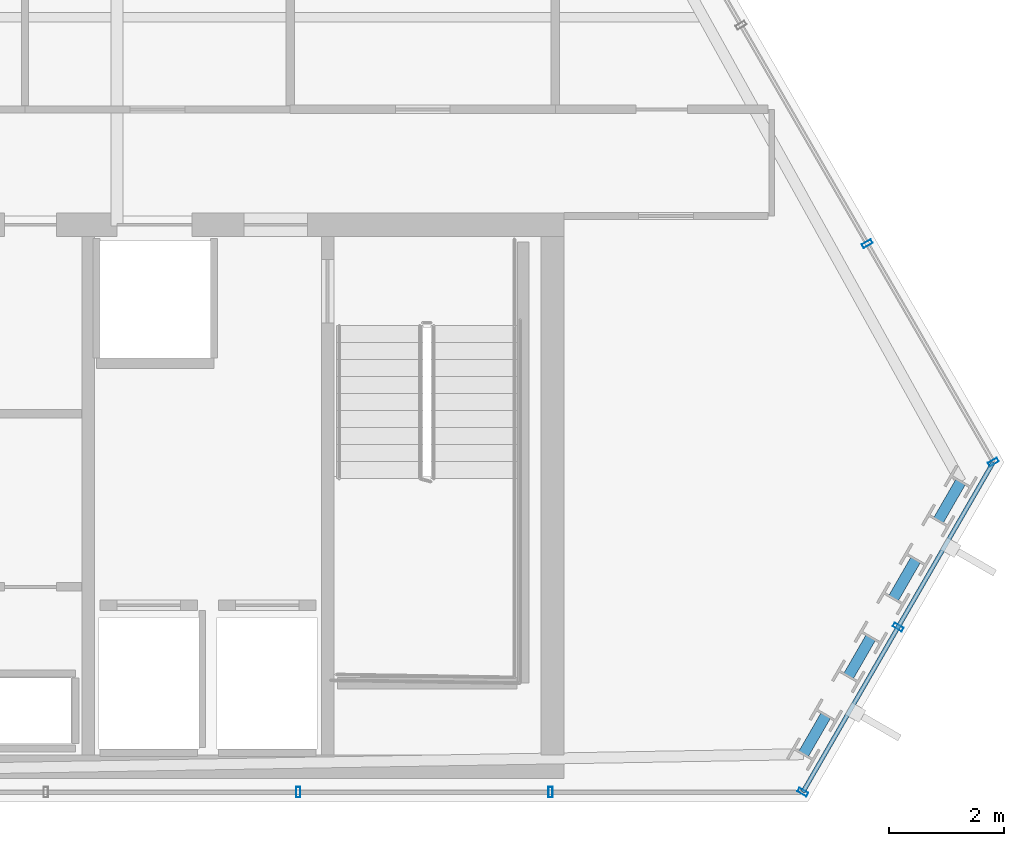
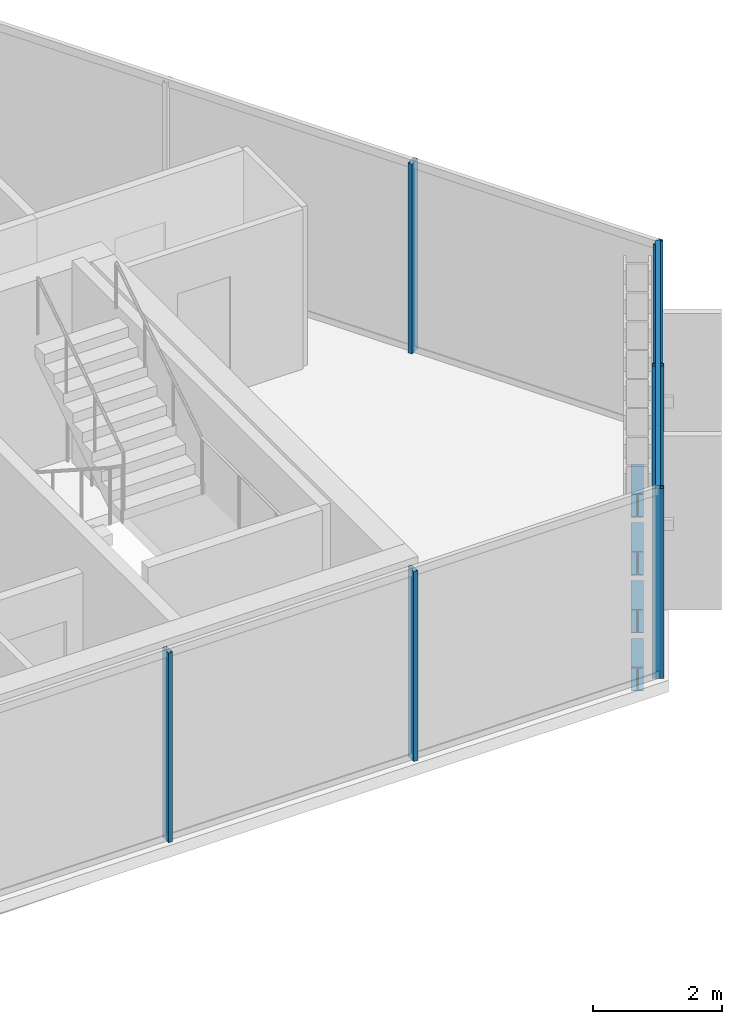
# One storey, part 14 of 29: 8 members, 4 beams, 3 elements without a shape of their own.
"""IFC4 building model written with IfcOpenShell, lengths in metres."""

import ifcopenshell
import ifcopenshell.guid

model = None  # the IFC model being written
_history = None  # IfcOwnerHistory: only IFC2X3 demands one
_inside = {}  # id of a spatial element -> (the spatial element, [elements in it])
_under = {}  # id of a project, library or spatial element -> (it, [spatial elements below it])
_declared = {}  # id of a project -> (the project, [libraries it declares])
_typed = {}  # id of a type object -> (the type object, [elements of that type])
_made_of = {}  # id of a material, layer set ... -> (it, [elements and type objects made of it])


def new_model(schema):
    """Start an empty IFC model of exactly this schema.

    Asked for "IFC4X3", IfcOpenShell would pick the latest addendum, in which some entities
    have other attributes; the version numbers below select the first issue.
    IFC2X3 requires an IfcOwnerHistory on every rooted entity: one is made here for all.
    """
    global model, _history
    if schema == "IFC4X3":
        model = ifcopenshell.file(schema_version=(4, 3, 0, 0))
    else:
        model = ifcopenshell.file(schema=schema)
    _inside.clear()
    _under.clear()
    _declared.clear()
    _typed.clear()
    _made_of.clear()
    _history = None
    if model.schema == "IFC2X3":
        org = make("IfcOrganization", Name="unknown")
        user = make(
            "IfcPersonAndOrganization",
            ThePerson=make("IfcPerson", FamilyName="unknown"),
            TheOrganization=org,
        )
        app = make(
            "IfcApplication",
            ApplicationDeveloper=org,
            Version="unknown",
            ApplicationFullName="unknown",
            ApplicationIdentifier="unknown",
        )
        _history = make(
            "IfcOwnerHistory",
            OwningUser=user,
            OwningApplication=app,
            ChangeAction="ADDED",
            CreationDate=0,
        )
    return model


def make(cls, **values):
    """One entity of the class cls with the attributes given. An attribute that is None is left unset."""
    return model.create_entity(
        cls, **{name: value for name, value in values.items() if value is not None}
    )


def rooted(cls, **values):
    """An entity with a GlobalId (a new one), such as an element, a storey or a relation."""
    return make(cls, GlobalId=ifcopenshell.guid.new(), OwnerHistory=_history, **values)


def si_unit(unit_type, name, prefix=None):
    """IfcSIUnit, for example si_unit("LENGTHUNIT", "METRE", prefix="MILLI")."""
    return make("IfcSIUnit", UnitType=unit_type, Prefix=prefix, Name=name)


def assignment(units):
    """IfcUnitAssignment: the units of a project."""
    return None if units is None else make("IfcUnitAssignment", Units=units)


def point(xyz):
    """IfcCartesianPoint."""
    return None if xyz is None else make("IfcCartesianPoint", Coordinates=xyz)


def direction(xyz):
    """IfcDirection."""
    return None if xyz is None else make("IfcDirection", DirectionRatios=xyz)


def frame(location, z_axis=None, x_axis=None):
    """IfcAxis2Placement3D, a coordinate frame: its origin and axes. An axis left out is left unset."""
    return make(
        "IfcAxis2Placement3D",
        Location=point(location),
        Axis=direction(z_axis),
        RefDirection=direction(x_axis),
    )


def frame_2d(location, x_axis=None):
    """IfcAxis2Placement2D, a coordinate frame in the plane: its origin and x axis."""
    return make(
        "IfcAxis2Placement2D", Location=point(location), RefDirection=direction(x_axis)
    )


def origin():
    """The frame at (0, 0, 0) with its axes left unset."""
    return frame((0.0, 0.0, 0.0))


def origin_2d():
    """The frame at (0, 0) in the plane with its x axis left unset."""
    return frame_2d((0.0, 0.0))


def place(relative_to, where):
    """IfcLocalPlacement: puts the frame where relative to a parent placement (None: the world)."""
    return make(
        "IfcLocalPlacement", PlacementRelTo=relative_to, RelativePlacement=where
    )


def context(
    kind, dimensions, precision=None, world=None, true_north=None, identifier=None
):
    """IfcGeometricRepresentationContext, for example the 3D "Model" context."""
    return make(
        "IfcGeometricRepresentationContext",
        ContextIdentifier=identifier,
        ContextType=kind,
        CoordinateSpaceDimension=dimensions,
        Precision=precision,
        WorldCoordinateSystem=world,
        TrueNorth=true_north,
    )


def subcontext(parent, identifier, kind, view, scale=None):
    """IfcGeometricRepresentationSubContext, for example "Body" below "Model"."""
    return make(
        "IfcGeometricRepresentationSubContext",
        ContextIdentifier=identifier,
        ContextType=kind,
        ParentContext=parent,
        TargetScale=scale,
        TargetView=view,
    )


def project(units=None, contexts=None):
    """IfcProject with its units and contexts."""
    return rooted(
        "IfcProject",
        Name="project",
        RepresentationContexts=contexts,
        UnitsInContext=assignment(units),
    )


def spatial(cls, under=None, at=None, **own):
    """A site, building, storey or space (cls), placed at a placement, below another one or the project."""
    s = rooted(cls, ObjectPlacement=at, **own)
    if under is not None:
        _under.setdefault(under.id(), (under, []))[1].append(s)
    return s


def profile(cls, at=None, kind="AREA", **sizes):
    """A parametric profile (cls). Its sizes go by their IFC names, for example OverallWidth=200.0."""
    return make(cls, ProfileType=kind, Position=at, **sizes)


def hollow_rectangle(**sizes):
    """IfcRectangleHollowProfileDef."""
    return profile("IfcRectangleHollowProfileDef", **sizes)


def i_section(**sizes):
    """IfcIShapeProfileDef."""
    return profile("IfcIShapeProfileDef", **sizes)


def extrude(swept, where, along, depth):
    """IfcExtrudedAreaSolid: the profile swept, set in the frame where, extruded along a direction by depth."""
    return make(
        "IfcExtrudedAreaSolid",
        SweptArea=swept,
        Position=where,
        ExtrudedDirection=direction(along),
        Depth=depth,
    )


def shape(context_of_items, identifier, shape_type, items):
    """IfcShapeRepresentation: the items that make up one representation, for example the "Body"."""
    return make(
        "IfcShapeRepresentation",
        ContextOfItems=context_of_items,
        RepresentationIdentifier=identifier,
        RepresentationType=shape_type,
        Items=items,
    )


def material(Name=None, Category=None):
    """IfcMaterial."""
    return make("IfcMaterial", Name=Name, Category=Category)


def layer(
    of_material, thickness, ventilated=None, Name=None, Category=None, Priority=None
):
    """IfcMaterialLayer: one layer of a wall or slab, of a material (None: an air gap)."""
    return make(
        "IfcMaterialLayer",
        Material=of_material,
        LayerThickness=thickness,
        IsVentilated=ventilated,
        Name=Name,
        Category=Category,
        Priority=Priority,
    )


def layer_set(layers, Name=None):
    """IfcMaterialLayerSet."""
    return make("IfcMaterialLayerSet", MaterialLayers=layers, LayerSetName=Name)


def material_profile(
    of_material, cross_section, Name=None, Category=None, Priority=None
):
    """IfcMaterialProfile: a cross section and its material."""
    return make(
        "IfcMaterialProfile",
        Name=Name,
        Material=of_material,
        Profile=cross_section,
        Priority=Priority,
        Category=Category,
    )


def profile_set(profiles, Name=None, composite=None):
    """IfcMaterialProfileSet."""
    return make(
        "IfcMaterialProfileSet",
        Name=Name,
        MaterialProfiles=profiles,
        CompositeProfile=composite,
    )


def made_of(thing, what):
    """Note that an element or type object is made of a material, layer set ...; save() writes the relation."""
    if what is not None:
        _made_of.setdefault(what.id(), (what, []))[1].append(thing)
    return thing


def type_object(cls, material=None, **own):
    """A type object (cls), such as IfcWallType, which elements share."""
    return made_of(rooted(cls, **own), material)


def element(
    cls,
    number,
    at=None,
    inside=None,
    cuts=None,
    type_object=None,
    material=None,
    context=None,
    identifier="Body",
    shape_type=None,
    held_by="IfcProductDefinitionShape",
    body=None,
    shapes=None,
    **own,
):
    """One element of the class cls, such as IfcWall. Its Tag is "e" and its number.

    at: its placement. inside: the storey or other place that contains it. cuts: it is an
    opening in that element (IfcRelVoidsElement). A single representation is given by context,
    identifier, shape_type and body (its items); several are given by shapes. held_by: the class
    of the entity that holds the representations. save() writes the other relations.
    """
    e = rooted(cls, Tag="e%d" % number, ObjectPlacement=at, **own)
    if body is not None:
        shapes = [shape(context, identifier, shape_type, body)]
    if shapes is not None:
        e.Representation = make(held_by, Representations=shapes)
    if inside is not None:
        _inside.setdefault(inside.id(), (inside, []))[1].append(e)
    if cuts is not None:
        rooted(
            "IfcRelVoidsElement", RelatingBuildingElement=cuts, RelatedOpeningElement=e
        )
    if type_object is not None:
        _typed.setdefault(type_object.id(), (type_object, []))[1].append(e)
    return made_of(e, material)


def aggregate(whole, parts):
    """IfcRelAggregates: a whole, such as a stair, and the parts it consists of."""
    return rooted("IfcRelAggregates", RelatingObject=whole, RelatedObjects=parts)


def save(model, path):
    """Write the relations noted so far, then the file.

    IfcRelAggregates (storeys below a building ...), IfcRelContainedInSpatialStructure (elements
    in a storey), IfcRelDefinesByType, IfcRelAssociatesMaterial and IfcRelDeclares: one each for
    every whole, place, type object, material and project.
    """
    for whole, parts in _under.values():
        aggregate(whole, parts)
    for where, things in _inside.values():
        rooted(
            "IfcRelContainedInSpatialStructure",
            RelatedElements=things,
            RelatingStructure=where,
        )
    for kind, things in _typed.values():
        rooted("IfcRelDefinesByType", RelatedObjects=things, RelatingType=kind)
    for what, things in _made_of.values():
        rooted("IfcRelAssociatesMaterial", RelatedObjects=things, RelatingMaterial=what)
    for by, libraries in _declared.values():
        rooted("IfcRelDeclares", RelatingContext=by, RelatedDefinitions=libraries)
    model.write(path)


model = new_model("IFC4")

# Units and contexts
model_context = context("Model", 3, precision=1e-05, world=origin(), true_north=direction((0.0, 1.0)))
body_context = subcontext(model_context, "Body", "Model", "MODEL_VIEW")
ifc_project = project(units=[si_unit("LENGTHUNIT", "METRE"), si_unit("AREAUNIT", "SQUARE_METRE"), si_unit("VOLUMEUNIT", "CUBIC_METRE"), si_unit("PLANEANGLEUNIT", "RADIAN"), si_unit("MASSUNIT", "GRAM", prefix="KILO")], contexts=[model_context])

# Site, building, storey
site_placement = place(None, origin())
site = spatial("IfcSite", under=ifc_project, at=site_placement, CompositionType="ELEMENT")
building_placement = place(site_placement, origin())
building = spatial("IfcBuilding", under=site, at=building_placement, Name="Ndaravel Arena Tower", CompositionType="ELEMENT")
storey_placement = place(building_placement, frame((0.0, 0.0, 244.60009765625)))
storey = spatial("IfcBuildingStorey", under=building, at=storey_placement, Name="L59", CompositionType="ELEMENT", Elevation=244.60009765625)

# Beams
ifc_material_1 = material(Name="Steel S355", Category="steel")
ifc_material_profile_1 = material_profile(ifc_material_1, i_section(OverallWidth=0.18994140625, OverallDepth=0.449951171875, WebThickness=0.009521484375, FlangeThickness=0.0146484375, FilletRadius=0.02099609375, at=origin_2d()), Name="IPE 450")
ifc_profile_set_1 = profile_set([ifc_material_profile_1], Name="Steel S355")
beam_type = type_object("IfcBeamType", Name="BM-SPAN-IPE450", PredefinedType="SPANDREL", material=ifc_profile_set_1)
for number, where, z_axis, x_axis, name in (
    (1, (61.7021484375, 5.817626953125, -0.445068359375), (0.500011542666, 0.866018739521, 0.0), (-0.866018739521, 0.500011542666, 0.0), "L59 Perimeter Spandrel Beam SP-02"),
    (2, (62.48193359375, 7.168212890625, -0.445068359375), (0.500011542666, 0.866018739521, 0.0), (-0.866018739521, 0.500011542666, 0.0), "L59 Perimeter Spandrel Beam SP-04"),
    (3, (63.26171875, 8.5185546875, -0.445068359375), (0.500011542666, 0.866018739521, 0.0), (-0.866018739521, 0.500011542666, 0.0), "L59 Perimeter Spandrel Beam SP-06"),
    (4, (64.041259765625, 9.869140625, -0.445068359375), (0.500011542666, 0.866018739521, 0.0), (-0.866018739521, 0.500011542666, 0.0), "L59 Perimeter Spandrel Beam SP-08"),
):
    element("IfcBeam", number, at=place(storey_placement, frame(where, z_axis=z_axis, x_axis=x_axis)), inside=storey, type_object=beam_type, Name=name, PredefinedType="SPANDREL", context=body_context, shape_type="SweptSolid", body=[
        extrude(i_section(OverallWidth=0.18994140625, OverallDepth=0.449951171875, WebThickness=0.009521484375, FlangeThickness=0.0146484375, FilletRadius=0.02099609375, at=origin_2d()), origin(), (0.0, 0.0, 1.0), 0.77978515625),
    ])

# Curtain wall, members
ifc_material_2 = material(Name="Aluminium", Category="aluminium")
ifc_layer_1 = layer(ifc_material_2, 0.179931640625)
ifc_layer_set_1 = layer_set([ifc_layer_1], Name="Aluminium")
curtain_wall_type_1 = type_object("IfcCurtainWallType", Name="CW-SYS-03", PredefinedType="NOTDEFINED", material=ifc_layer_set_1)
curtain_wall_1_placement = place(storey_placement, origin())
curtain_wall_1 = element("IfcCurtainWall", 5, at=curtain_wall_1_placement, inside=storey, type_object=curtain_wall_type_1, Name="L59 Faceted Crystal Curtain Wall CW-L59-E01", PredefinedType="NOTDEFINED")
ifc_material_3 = material(Name="Aluminium", Category="aluminium")
ifc_material_profile_2 = material_profile(ifc_material_3, hollow_rectangle(XDim=0.074951171875, YDim=0.179931640625, WallThickness=0.00390625, at=origin_2d()), Name="CW MULLION 75x180x4")
ifc_profile_set_2 = profile_set([ifc_material_profile_2], Name="Aluminium")
member_type_1 = type_object("IfcMemberType", Name="MEM-CW-MUL180", PredefinedType="MULLION", material=ifc_profile_set_2)
member_1_placement = place(storey_placement, frame((52.93994140625, 5.159912109375, 0.0), z_axis=(0.0, 0.0, 1.0), x_axis=(1.0, 0.0, 0.0)))
member_1 = element("IfcMember", 6, at=member_1_placement, type_object=member_type_1, Name="CW-L59-E01 Mullion 07", PredefinedType="MULLION", context=body_context, shape_type="SweptSolid", body=[
    extrude(hollow_rectangle(XDim=0.074951171875, YDim=0.179931640625, WallThickness=0.00390625, at=origin_2d()), origin(), (0.0, 0.0, 1.0), 3.579833984375),
])
member_2_placement = place(storey_placement, frame((57.31591796875, 5.159912109375, 0.0), z_axis=(0.0, 0.0, 1.0), x_axis=(1.0, 0.0, 0.0)))
member_2 = element("IfcMember", 7, at=member_2_placement, type_object=member_type_1, Name="CW-L59-E01 Mullion 08", PredefinedType="MULLION", context=body_context, shape_type="SweptSolid", body=[
    extrude(hollow_rectangle(XDim=0.074951171875, YDim=0.179931640625, WallThickness=0.00390625, at=origin_2d()), origin(), (0.0, 0.0, 1.0), 3.579833984375),
])
aggregate(curtain_wall_1, [member_1, member_2])

ifc_material_4 = material(Name="Aluminium", Category="aluminium")
ifc_layer_2 = layer(ifc_material_4, 0.179931640625)
ifc_layer_set_2 = layer_set([ifc_layer_2], Name="Aluminium")
curtain_wall_type_2 = type_object("IfcCurtainWallType", Name="CW-SYS-01", PredefinedType="NOTDEFINED", material=ifc_layer_set_2)
curtain_wall_2_placement = place(storey_placement, origin())
curtain_wall_2 = element("IfcCurtainWall", 8, at=curtain_wall_2_placement, inside=storey, type_object=curtain_wall_type_2, Name="L59 Faceted Crystal Curtain Wall CW-L59-E02", PredefinedType="NOTDEFINED")
member_3_placement = place(storey_placement, frame((61.69189453125, 5.159912109375, 0.0), z_axis=(0.0, 0.0, 1.0), x_axis=(0.5, 0.866025403784, 0.0)))
member_3 = element("IfcMember", 9, at=member_3_placement, type_object=member_type_1, Name="CW-L59-E02 Mullion 00", PredefinedType="MULLION", context=body_context, shape_type="SweptSolid", body=[
    extrude(hollow_rectangle(XDim=0.074951171875, YDim=0.179931640625, WallThickness=0.00390625, at=origin_2d()), origin(), (0.0, 0.0, 1.0), 3.579833984375),
])
member_4_placement = place(storey_placement, frame((63.34375, 8.02099609375, 0.0), z_axis=(0.0, 0.0, 1.0), x_axis=(0.5, 0.866025403784, 0.0)))
member_4 = element("IfcMember", 10, at=member_4_placement, type_object=member_type_1, Name="CW-L59-E02 Mullion 01", PredefinedType="MULLION", context=body_context, shape_type="SweptSolid", body=[
    extrude(hollow_rectangle(XDim=0.074951171875, YDim=0.179931640625, WallThickness=0.00390625, at=origin_2d()), origin(), (0.0, 0.0, 1.0), 3.579833984375),
])

curtain_wall_3_placement = place(storey_placement, origin())
curtain_wall_3 = element("IfcCurtainWall", 11, at=curtain_wall_3_placement, inside=storey, type_object=curtain_wall_type_1, Name="L59 Faceted Crystal Curtain Wall CW-L59-E03", PredefinedType="NOTDEFINED")
member_5_placement = place(storey_placement, frame((64.99560546875, 10.882080078125, 0.0), z_axis=(0.0, 0.0, 1.0), x_axis=(-0.5, 0.866025403784, 0.0)))
member_5 = element("IfcMember", 12, at=member_5_placement, type_object=member_type_1, Name="CW-L59-E03 Mullion 00", PredefinedType="MULLION", context=body_context, shape_type="SweptSolid", body=[
    extrude(hollow_rectangle(XDim=0.074951171875, YDim=0.179931640625, WallThickness=0.00390625, at=origin_2d()), origin(), (0.0, 0.0, 1.0), 3.579833984375),
])
member_6_placement = place(storey_placement, frame((62.8076171875, 14.671630859375, 0.0), z_axis=(0.0, 0.0, 1.0), x_axis=(-0.5, 0.866025403784, 0.0)))
member_6 = element("IfcMember", 13, at=member_6_placement, type_object=member_type_1, Name="CW-L59-E03 Mullion 01", PredefinedType="MULLION", context=body_context, shape_type="SweptSolid", body=[
    extrude(hollow_rectangle(XDim=0.074951171875, YDim=0.179931640625, WallThickness=0.00390625, at=origin_2d()), origin(), (0.0, 0.0, 1.0), 3.579833984375),
])
aggregate(curtain_wall_3, [member_5, member_6])

# Member
ifc_material_5 = material(Name="Aluminium", Category="aluminium")
ifc_material_profile_3 = material_profile(ifc_material_5, hollow_rectangle(XDim=0.074951171875, YDim=0.14990234375, WallThickness=0.00390625, at=origin_2d()), Name="CW TRANSOM 75x150x4")
ifc_profile_set_3 = profile_set([ifc_material_profile_3], Name="Aluminium")
member_type_2 = type_object("IfcMemberType", Name="MEM-CW-TRN150", PredefinedType="USERDEFINED", material=ifc_profile_set_3)
member_7_placement = place(storey_placement, frame((61.69189453125, 5.159912109375, 0.039794921875), z_axis=(0.500001784407, 0.866024373554, 0.0), x_axis=(-0.866024373554, 0.500001784407, 0.0)))
member_7 = element("IfcMember", 14, at=member_7_placement, type_object=member_type_2, Name="CW-L59-E02 Transom 01", ObjectType="TRANSOM", PredefinedType="USERDEFINED", context=body_context, shape_type="SweptSolid", body=[
    extrude(hollow_rectangle(XDim=0.074951171875, YDim=0.14990234375, WallThickness=0.00390625, at=origin_2d()), origin(), (0.0, 0.0, 1.0), 6.607421875),
])

member_8_placement = place(storey_placement, frame((61.69189453125, 5.159912109375, 3.539794921875), z_axis=(0.500001784407, 0.866024373554, 0.0), x_axis=(-0.866024373554, 0.500001784407, 0.0)))
member_8 = element("IfcMember", 15, at=member_8_placement, type_object=member_type_2, Name="CW-L59-E02 Transom 02", ObjectType="TRANSOM", PredefinedType="USERDEFINED", context=body_context, shape_type="SweptSolid", body=[
    extrude(hollow_rectangle(XDim=0.074951171875, YDim=0.14990234375, WallThickness=0.00390625, at=origin_2d()), origin(), (0.0, 0.0, 1.0), 6.607421875),
])

aggregate(curtain_wall_2, [member_3, member_4, member_7, member_8])

save(model, "model.ifc")
